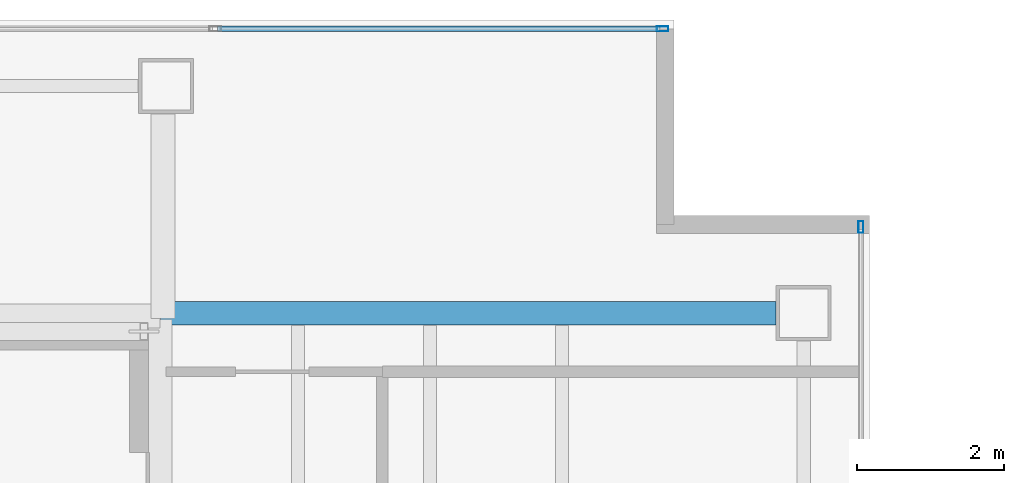
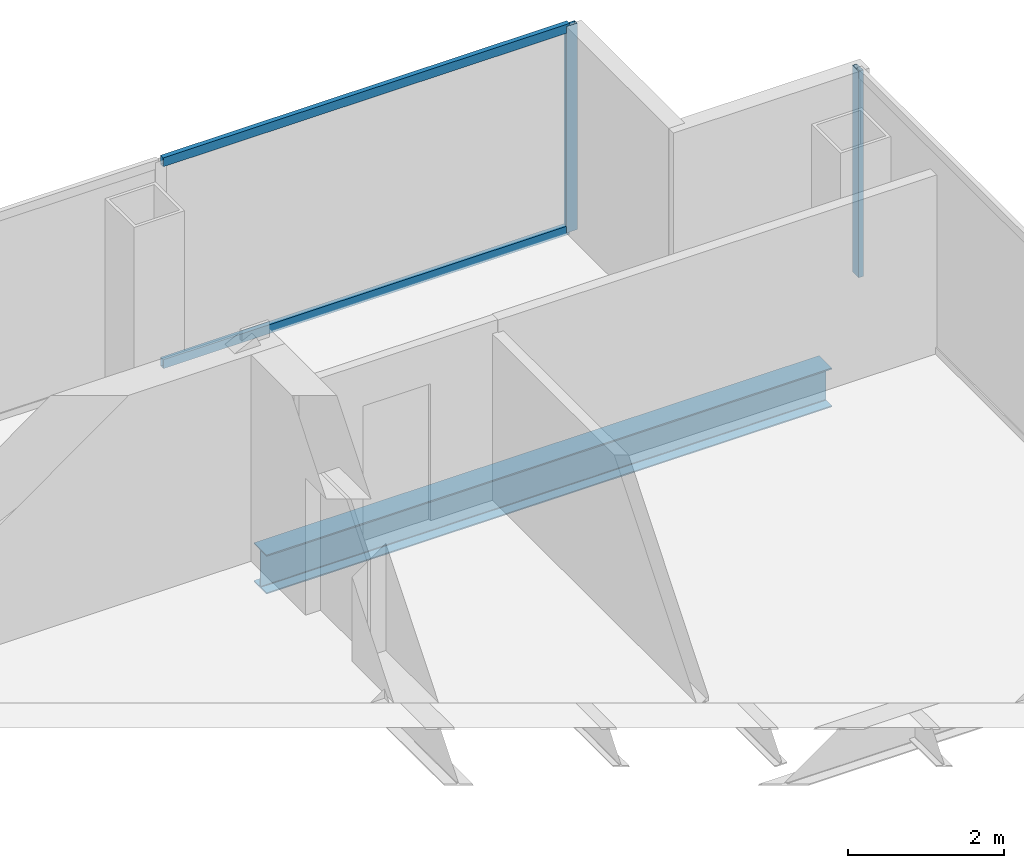
# One storey, part 18 of 23: 4 members, 1 beam, 2 elements without a shape of their own.
"""IFC4 building model written with IfcOpenShell, lengths in metres."""

from ifc_helpers import new_model, si_unit, direction, frame, origin, origin_2d, place, context, subcontext, project, spatial, hollow_rectangle, i_section, extrude, material, material_profile, profile_set, type_object, element, aggregate, save


model = new_model("IFC4")

# Units and contexts
model_context = context("Model", 3, precision=1e-05, world=origin(), true_north=direction((0.0, 1.0)))
body_context = subcontext(model_context, "Body", "Model", "MODEL_VIEW")
ifc_project = project(units=[si_unit("LENGTHUNIT", "METRE"), si_unit("AREAUNIT", "SQUARE_METRE"), si_unit("VOLUMEUNIT", "CUBIC_METRE"), si_unit("PLANEANGLEUNIT", "RADIAN"), si_unit("MASSUNIT", "GRAM", prefix="KILO")], contexts=[model_context])

# Site, building, storey
site_placement = place(None, origin())
site = spatial("IfcSite", under=ifc_project, at=site_placement, CompositionType="ELEMENT")
building_placement = place(site_placement, origin())
building = spatial("IfcBuilding", under=site, at=building_placement, Name="Cobrela Telecom Tower", CompositionType="ELEMENT")
storey_placement = place(building_placement, frame((0.0, 0.0, 222.25)))
storey = spatial("IfcBuildingStorey", under=building, at=storey_placement, Name="L57", CompositionType="ELEMENT", Elevation=222.25)

# Beam
ifc_material_1 = material(Name="Steel ASTM A992 Grade 50", Category="steel")
ifc_material_profile_1 = material_profile(ifc_material_1, i_section(OverallWidth=0.324951171875, OverallDepth=0.612060546875, WebThickness=0.0126953125, FlangeThickness=0.01904296875, FilletRadius=0.014892578125, at=origin_2d()), Name="W24X104")
ifc_profile_set_1 = profile_set([ifc_material_profile_1], Name="Steel ASTM A992 Grade 50")
beam_type = type_object("IfcBeamType", Name="BM-GIRD-07", PredefinedType="USERDEFINED", material=ifc_profile_set_1)
beam_placement = place(storey_placement, frame((14.324951171875, 36.0, -0.56591796875), z_axis=(1.0, 0.0, 0.0), x_axis=(0.0, 1.0, 0.0)))
element("IfcBeam", 1, at=beam_placement, inside=storey, type_object=beam_type, Name="L57 Primary Girder X22", ObjectType="GIRDER", PredefinedType="USERDEFINED", context=body_context, shape_type="SweptSolid", body=[
    extrude(i_section(OverallWidth=0.324951171875, OverallDepth=0.612060546875, WebThickness=0.0126953125, FlangeThickness=0.01904296875, FilletRadius=0.014892578125, at=origin_2d()), origin(), (0.0, 0.0, 1.0), 8.39501953125),
])

# Curtain wall, member
ifc_material_2 = material(Name="Anodized Bronze Aluminium 6063-T6", Category="aluminium")
curtain_wall_type = type_object("IfcCurtainWallType", Name="CW-SYS-OFF-LO", PredefinedType="USERDEFINED", material=ifc_material_2)
curtain_wall_1_placement = place(storey_placement, origin())
curtain_wall_1 = element("IfcCurtainWall", 2, at=curtain_wall_1_placement, inside=storey, type_object=curtain_wall_type, Name="L57 Unitised Bronze Curtain Wall 07", ObjectType="UNITISED CURTAIN WALL", PredefinedType="USERDEFINED")
ifc_material_profile_2 = material_profile(ifc_material_2, hollow_rectangle(XDim=0.070068359375, YDim=0.159912109375, WallThickness=0.00390625, at=origin_2d()), Name="ALU 70x160x4")
ifc_profile_set_2 = profile_set([ifc_material_profile_2], Name="Anodized Bronze Aluminium 6063-T6")
member_type_1 = type_object("IfcMemberType", Name="CW-SYS-OFF-LO-MUL", PredefinedType="MULLION", material=ifc_profile_set_2)
member_1_placement = place(storey_placement, frame((21.175048828125, 39.8798828125, 0.0), z_axis=(0.0, 0.0, 1.0), x_axis=(0.0, 1.0, 0.0)))
member_1 = element("IfcMember", 3, at=member_1_placement, type_object=member_type_1, Name="CW-OFF-LO mullion 4", PredefinedType="MULLION", context=body_context, shape_type="SweptSolid", body=[
    extrude(hollow_rectangle(XDim=0.070068359375, YDim=0.159912109375, WallThickness=0.00390625, at=origin_2d()), origin(), (0.0, 0.0, 1.0), 3.239990234375),
])

curtain_wall_2_placement = place(storey_placement, origin())
curtain_wall_2 = element("IfcCurtainWall", 4, at=curtain_wall_2_placement, inside=storey, type_object=curtain_wall_type, Name="L57 Unitised Bronze Curtain Wall 10", ObjectType="UNITISED CURTAIN WALL", PredefinedType="USERDEFINED")
member_2_placement = place(storey_placement, frame((23.8798828125, 37.175048828125, 0.0), z_axis=(0.0, 0.0, 1.0), x_axis=(1.0, 0.0, 0.0)))
member_2 = element("IfcMember", 5, at=member_2_placement, type_object=member_type_1, Name="CW-OFF-LO mullion 1", PredefinedType="MULLION", context=body_context, shape_type="SweptSolid", body=[
    extrude(hollow_rectangle(XDim=0.070068359375, YDim=0.159912109375, WallThickness=0.00390625, at=origin_2d()), origin(), (0.0, 0.0, 1.0), 3.239990234375),
])
aggregate(curtain_wall_2, [member_2])

# Member
ifc_material_profile_3 = material_profile(ifc_material_2, hollow_rectangle(XDim=0.070068359375, YDim=0.139892578125, WallThickness=0.00390625, at=origin_2d()), Name="ALU 70x140x4")
ifc_profile_set_3 = profile_set([ifc_material_profile_3], Name="Anodized Bronze Aluminium 6063-T6")
member_type_2 = type_object("IfcMemberType", Name="CW-SYS-OFF-LO-TRN", PredefinedType="USERDEFINED", material=ifc_profile_set_3)
member_3_placement = place(storey_placement, frame((15.10498046875, 39.8798828125, 0.034912109375), z_axis=(1.0, 0.0, 0.0), x_axis=(0.0, 1.0, 0.0)))
member_3 = element("IfcMember", 6, at=member_3_placement, type_object=member_type_2, Name="CW-OFF-LO transom 3.1", ObjectType="TRANSOM", PredefinedType="USERDEFINED", context=body_context, shape_type="SweptSolid", body=[
    extrude(hollow_rectangle(XDim=0.070068359375, YDim=0.139892578125, WallThickness=0.00390625, at=origin_2d()), origin(), (0.0, 0.0, 1.0), 6.034912109375),
])

member_4_placement = place(storey_placement, frame((15.10498046875, 39.8798828125, 3.205078125), z_axis=(1.0, 0.0, 0.0), x_axis=(0.0, 1.0, 0.0)))
member_4 = element("IfcMember", 7, at=member_4_placement, type_object=member_type_2, Name="CW-OFF-LO transom 3.2", ObjectType="TRANSOM", PredefinedType="USERDEFINED", context=body_context, shape_type="SweptSolid", body=[
    extrude(hollow_rectangle(XDim=0.070068359375, YDim=0.139892578125, WallThickness=0.00390625, at=origin_2d()), origin(), (0.0, 0.0, 1.0), 6.034912109375),
])

aggregate(curtain_wall_1, [member_1, member_3, member_4])

save(model, "model.ifc")
